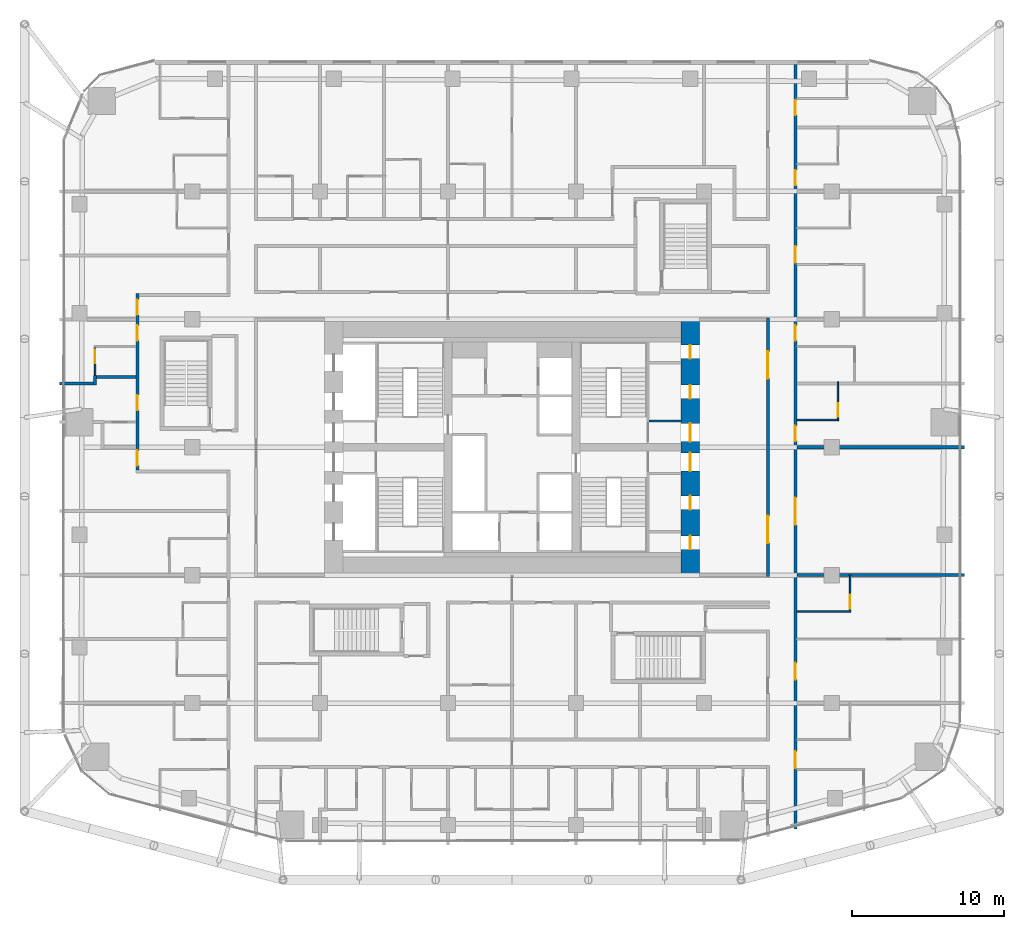
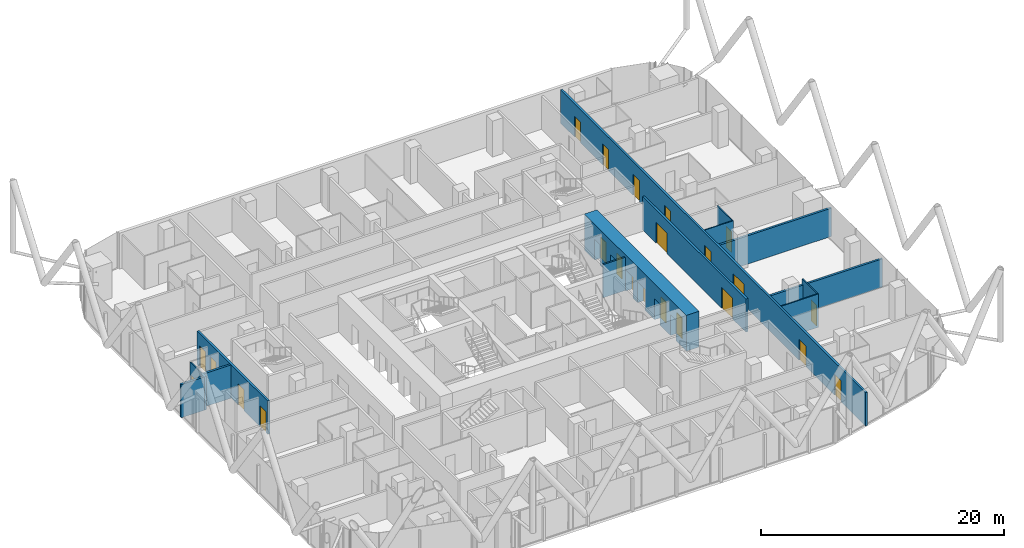
# One storey, part 32 of 38: 23 doors, 15 walls, 23 openings.
"""IFC4 building model written with IfcOpenShell, lengths in metres."""

from ifc_helpers import new_model, si_unit, direction, frame, frame_2d, origin, place, context, subcontext, project, spatial, rectangle, extrude, material, layer, layer_set, type_object, element, fill, save


model = new_model("IFC4")

# Units and contexts
model_context = context("Model", 3, precision=1e-05, world=origin(), true_north=direction((0.0, 1.0)))
body_context = subcontext(model_context, "Body", "Model", "MODEL_VIEW")
ifc_project = project(units=[si_unit("LENGTHUNIT", "METRE"), si_unit("AREAUNIT", "SQUARE_METRE"), si_unit("VOLUMEUNIT", "CUBIC_METRE"), si_unit("PLANEANGLEUNIT", "RADIAN"), si_unit("MASSUNIT", "GRAM", prefix="KILO")], contexts=[model_context])

# Site, building, storey
site_placement = place(None, origin())
site = spatial("IfcSite", under=ifc_project, at=site_placement, CompositionType="ELEMENT")
building_placement = place(site_placement, origin())
building = spatial("IfcBuilding", under=site, at=building_placement, Name="Marenta Gate Hotel Tower", CompositionType="ELEMENT")
storey_placement = place(building_placement, frame((0.0, 0.0, 40.10009765625)))
storey = spatial("IfcBuildingStorey", under=building, at=storey_placement, Name="L07", CompositionType="ELEMENT", Elevation=40.10009765625)

# Wall, openings, doors
ifc_material_1 = material(Name="Concrete blockwork", Category="masonry")
ifc_layer_1 = layer(ifc_material_1, 0.199951171875)
ifc_layer_set_1 = layer_set([ifc_layer_1], Name="Concrete blockwork")
wall_type_1 = type_object("IfcWallType", Name="Core boundary wall 200 REI 180", PredefinedType="PARTITIONING", material=ifc_layer_set_1)
wall_1_placement = place(storey_placement, frame((16.800048828125, -0.10009765625, 0.0), z_axis=(0.0, 0.0, 1.0), x_axis=(0.0, 1.0, 0.0)))
wall_1 = element("IfcWall", 1, at=wall_1_placement, inside=storey, type_object=wall_type_1, Name="L07-CP-BW-E", PredefinedType="PARTITIONING", context=body_context, shape_type="SweptSolid", body=[
    extrude(rectangle(XDim=17.0, YDim=0.199951171875, at=frame_2d((8.5, 0.0))), origin(), (0.0, 0.0, 1.0), 3.33984375),
])
opening_1_placement = place(wall_1_placement, frame((2.199951171875, 0.0, 0.0)))
opening_1 = element("IfcOpeningElement", 2, at=opening_1_placement, cuts=wall_1, Name="Opening ED-Ea-B", PredefinedType="OPENING", context=body_context, shape_type="SweptSolid", body=[
    extrude(rectangle(XDim=1.800048828125, YDim=2.10009765625, at=frame_2d((0.89990234375, 1.050048828125))), frame((0.0, 0.10009765625, 0.0), z_axis=(0.0, -1.0, 0.0), x_axis=(1.0, 0.0, 0.0)), (0.0, 0.0, 1.0), 0.199951171875),
])
opening_2_placement = place(wall_1_placement, frame((13.0, 0.0, 0.0)))
opening_2 = element("IfcOpeningElement", 3, at=opening_2_placement, cuts=wall_1, Name="Opening ED-Eb-B", PredefinedType="OPENING", context=body_context, shape_type="SweptSolid", body=[
    extrude(rectangle(XDim=1.800048828125, YDim=2.10009765625, at=frame_2d((0.89990234375, 1.050048828125))), frame((0.0, 0.10009765625, 0.0), z_axis=(0.0, -1.0, 0.0), x_axis=(1.0, 0.0, 0.0)), (0.0, 0.0, 1.0), 0.199951171875),
])
ifc_material_2 = material(Name="Steel", Category="steel")
door_type_1 = type_object("IfcDoorType", Name="Core lobby entrance door 1800x2100 EI 60", OperationType="DOUBLE_DOOR_SINGLE_SWING", PredefinedType="DOOR", material=ifc_material_2)
door_1_placement = place(opening_1_placement, origin())
door_1 = element("IfcDoor", 4, at=door_1_placement, inside=storey, type_object=door_type_1, Name="ED-Ea-B", OperationType="DOUBLE_DOOR_SINGLE_SWING", OverallHeight=2.10009765625, OverallWidth=1.800048828125, PredefinedType="DOOR", context=body_context, shape_type="SweptSolid", body=[
    extrude(rectangle(XDim=1.800048828125, YDim=2.10009765625, at=frame_2d((0.89990234375, 1.050048828125))), frame((0.0, 0.02490234375, 0.0), z_axis=(0.0, -1.0, 0.0), x_axis=(1.0, 0.0, 0.0)), (0.0, 0.0, 1.0), 0.050048828125),
])
fill(opening_1, door_1)
door_2_placement = place(opening_2_placement, origin())
door_2 = element("IfcDoor", 5, at=door_2_placement, inside=storey, type_object=door_type_1, Name="ED-Eb-B", OperationType="DOUBLE_DOOR_SINGLE_SWING", OverallHeight=2.10009765625, OverallWidth=1.800048828125, PredefinedType="DOOR", context=body_context, shape_type="SweptSolid", body=[
    extrude(rectangle(XDim=1.800048828125, YDim=2.10009765625, at=frame_2d((0.89990234375, 1.050048828125))), frame((0.0, 0.02490234375, 0.0), z_axis=(0.0, -1.0, 0.0), x_axis=(1.0, 0.0, 0.0)), (0.0, 0.0, 1.0), 0.050048828125),
])
fill(opening_2, door_2)

# Wall
ifc_material_3 = material(Name="Concrete blockwork", Category="masonry")
ifc_layer_2 = layer(ifc_material_3, 0.14990234375)
ifc_layer_set_2 = layer_set([ifc_layer_2], Name="Concrete blockwork")
wall_type_2 = type_object("IfcWallType", Name="Core room partition 150 REI 180", PredefinedType="PARTITIONING", material=ifc_layer_set_2)
wall_2_placement = place(storey_placement, frame((9.0, 10.125, 0.0), z_axis=(0.0, 0.0, 1.0), x_axis=(1.0, 0.0, 0.0)))
element("IfcWall", 6, at=wall_2_placement, inside=storey, type_object=wall_type_2, Name="L07-CP-SW-EN-2", PredefinedType="PARTITIONING", context=body_context, shape_type="SweptSolid", body=[
    extrude(rectangle(XDim=2.10009765625, YDim=0.14990234375, at=frame_2d((1.050048828125, 0.0))), origin(), (0.0, 0.0, 1.0), 3.33984375),
])

# Wall, openings, doors
ifc_material_4 = material(Name="Concrete C80", Category="concrete")
ifc_layer_3 = layer(ifc_material_4, 1.199951171875)
ifc_layer_set_3 = layer_set([ifc_layer_3], Name="Concrete C80")
wall_type_3 = type_object("IfcWallType", Name="Core wall 1200 C80", PredefinedType="SHEAR", material=ifc_layer_set_3)
wall_3_placement = place(storey_placement, frame((11.699951171875, 0.0, 0.0), z_axis=(0.0, 0.0, 1.0), x_axis=(0.0, 1.0, 0.0)))
wall_3 = element("IfcWall", 7, at=wall_3_placement, inside=storey, type_object=wall_type_3, Name="L07-CORE-E", PredefinedType="SHEAR", context=body_context, shape_type="SweptSolid", body=[
    extrude(rectangle(XDim=16.800048828125, YDim=1.199951171875, at=frame_2d((8.39990234375, 0.0))), origin(), (0.0, 0.0, 1.0), 3.599853515625),
])
opening_3_placement = place(wall_3_placement, frame((1.6875, 0.0, 0.0)))
opening_3 = element("IfcOpeningElement", 8, at=opening_3_placement, cuts=wall_3, Name="Opening RD-ES-1", PredefinedType="OPENING", context=body_context, shape_type="SweptSolid", body=[
    extrude(rectangle(XDim=0.89990234375, YDim=2.10009765625, at=frame_2d((0.449951171875, 1.050048828125))), frame((0.0, 0.60009765625, 0.0), z_axis=(0.0, -1.0, 0.0), x_axis=(1.0, 0.0, 0.0)), (0.0, 0.0, 1.0), 1.199951171875),
])
opening_4_placement = place(wall_3_placement, frame((4.3125, 0.0, 0.0)))
opening_4 = element("IfcOpeningElement", 9, at=opening_4_placement, cuts=wall_3, Name="Opening RD-ES-2", PredefinedType="OPENING", context=body_context, shape_type="SweptSolid", body=[
    extrude(rectangle(XDim=0.89990234375, YDim=2.10009765625, at=frame_2d((0.449951171875, 1.050048828125))), frame((0.0, 0.60009765625, 0.0), z_axis=(0.0, -1.0, 0.0), x_axis=(1.0, 0.0, 0.0)), (0.0, 0.0, 1.0), 1.199951171875),
])
opening_5_placement = place(wall_3_placement, frame((6.824951171875, 0.0, 0.0)))
opening_5 = element("IfcOpeningElement", 10, at=opening_5_placement, cuts=wall_3, Name="Opening PD-ES", PredefinedType="OPENING", context=body_context, shape_type="SweptSolid", body=[
    extrude(rectangle(XDim=1.199951171875, YDim=2.10009765625, at=frame_2d((0.60009765625, 1.050048828125))), frame((0.0, 0.60009765625, 0.0), z_axis=(0.0, -1.0, 0.0), x_axis=(1.0, 0.0, 0.0)), (0.0, 0.0, 1.0), 1.199951171875),
])
opening_6_placement = place(wall_3_placement, frame((14.21240234375, 0.0, 0.0)))
opening_6 = element("IfcOpeningElement", 11, at=opening_6_placement, cuts=wall_3, Name="Opening RD-EN-1", PredefinedType="OPENING", context=body_context, shape_type="SweptSolid", body=[
    extrude(rectangle(XDim=0.89990234375, YDim=2.10009765625, at=frame_2d((0.449951171875, 1.050048828125))), frame((0.0, 0.60009765625, 0.0), z_axis=(0.0, -1.0, 0.0), x_axis=(1.0, 0.0, 0.0)), (0.0, 0.0, 1.0), 1.199951171875),
])
opening_7_placement = place(wall_3_placement, frame((11.58740234375, 0.0, 0.0)))
opening_7 = element("IfcOpeningElement", 12, at=opening_7_placement, cuts=wall_3, Name="Opening RD-EN-2", PredefinedType="OPENING", context=body_context, shape_type="SweptSolid", body=[
    extrude(rectangle(XDim=0.89990234375, YDim=2.10009765625, at=frame_2d((0.449951171875, 1.050048828125))), frame((0.0, 0.60009765625, 0.0), z_axis=(0.0, -1.0, 0.0), x_axis=(1.0, 0.0, 0.0)), (0.0, 0.0, 1.0), 1.199951171875),
])
opening_8_placement = place(wall_3_placement, frame((8.77490234375, 0.0, 0.0)))
opening_8 = element("IfcOpeningElement", 13, at=opening_8_placement, cuts=wall_3, Name="Opening PD-EN", PredefinedType="OPENING", context=body_context, shape_type="SweptSolid", body=[
    extrude(rectangle(XDim=1.199951171875, YDim=2.10009765625, at=frame_2d((0.60009765625, 1.050048828125))), frame((0.0, 0.60009765625, 0.0), z_axis=(0.0, -1.0, 0.0), x_axis=(1.0, 0.0, 0.0)), (0.0, 0.0, 1.0), 1.199951171875),
])
ifc_material_5 = material(Name="Steel", Category="steel")
door_type_2 = type_object("IfcDoorType", Name="Core lobby door 1200x2100 FD60", OperationType="SINGLE_SWING_LEFT", PredefinedType="DOOR", material=ifc_material_5)
door_3_placement = place(opening_5_placement, origin())
door_3 = element("IfcDoor", 14, at=door_3_placement, inside=storey, type_object=door_type_2, Name="PD-ES", OperationType="SINGLE_SWING_LEFT", OverallHeight=2.10009765625, OverallWidth=1.199951171875, PredefinedType="DOOR", context=body_context, shape_type="SweptSolid", body=[
    extrude(rectangle(XDim=1.199951171875, YDim=2.10009765625, at=frame_2d((0.60009765625, 1.050048828125))), frame((0.0, 0.02490234375, 0.0), z_axis=(0.0, -1.0, 0.0), x_axis=(1.0, 0.0, 0.0)), (0.0, 0.0, 1.0), 0.050048828125),
])
fill(opening_5, door_3)
door_4_placement = place(opening_8_placement, origin())
door_4 = element("IfcDoor", 15, at=door_4_placement, inside=storey, type_object=door_type_2, Name="PD-EN", OperationType="SINGLE_SWING_LEFT", OverallHeight=2.10009765625, OverallWidth=1.199951171875, PredefinedType="DOOR", context=body_context, shape_type="SweptSolid", body=[
    extrude(rectangle(XDim=1.199951171875, YDim=2.10009765625, at=frame_2d((0.60009765625, 1.050048828125))), frame((0.0, 0.02490234375, 0.0), z_axis=(0.0, -1.0, 0.0), x_axis=(1.0, 0.0, 0.0)), (0.0, 0.0, 1.0), 0.050048828125),
])
fill(opening_8, door_4)
ifc_material_6 = material(Name="Steel", Category="steel")
door_type_3 = type_object("IfcDoorType", Name="Core service room door 900x2100 FD30S", OperationType="SINGLE_SWING_LEFT", PredefinedType="DOOR", material=ifc_material_6)
door_5_placement = place(opening_3_placement, origin())
door_5 = element("IfcDoor", 16, at=door_5_placement, inside=storey, type_object=door_type_3, Name="RD-ES-1", OperationType="SINGLE_SWING_LEFT", OverallHeight=2.10009765625, OverallWidth=0.89990234375, PredefinedType="DOOR", context=body_context, shape_type="SweptSolid", body=[
    extrude(rectangle(XDim=0.89990234375, YDim=2.10009765625, at=frame_2d((0.449951171875, 1.050048828125))), frame((0.0, 0.02490234375, 0.0), z_axis=(0.0, -1.0, 0.0), x_axis=(1.0, 0.0, 0.0)), (0.0, 0.0, 1.0), 0.050048828125),
])
fill(opening_3, door_5)
door_6_placement = place(opening_4_placement, origin())
door_6 = element("IfcDoor", 17, at=door_6_placement, inside=storey, type_object=door_type_3, Name="RD-ES-2", OperationType="SINGLE_SWING_LEFT", OverallHeight=2.10009765625, OverallWidth=0.89990234375, PredefinedType="DOOR", context=body_context, shape_type="SweptSolid", body=[
    extrude(rectangle(XDim=0.89990234375, YDim=2.10009765625, at=frame_2d((0.449951171875, 1.050048828125))), frame((0.0, 0.02490234375, 0.0), z_axis=(0.0, -1.0, 0.0), x_axis=(1.0, 0.0, 0.0)), (0.0, 0.0, 1.0), 0.050048828125),
])
fill(opening_4, door_6)
door_7_placement = place(opening_6_placement, origin())
door_7 = element("IfcDoor", 18, at=door_7_placement, inside=storey, type_object=door_type_3, Name="RD-EN-1", OperationType="SINGLE_SWING_LEFT", OverallHeight=2.10009765625, OverallWidth=0.89990234375, PredefinedType="DOOR", context=body_context, shape_type="SweptSolid", body=[
    extrude(rectangle(XDim=0.89990234375, YDim=2.10009765625, at=frame_2d((0.449951171875, 1.050048828125))), frame((0.0, 0.02490234375, 0.0), z_axis=(0.0, -1.0, 0.0), x_axis=(1.0, 0.0, 0.0)), (0.0, 0.0, 1.0), 0.050048828125),
])
fill(opening_6, door_7)
door_8_placement = place(opening_7_placement, origin())
door_8 = element("IfcDoor", 19, at=door_8_placement, inside=storey, type_object=door_type_3, Name="RD-EN-2", OperationType="SINGLE_SWING_LEFT", OverallHeight=2.10009765625, OverallWidth=0.89990234375, PredefinedType="DOOR", context=body_context, shape_type="SweptSolid", body=[
    extrude(rectangle(XDim=0.89990234375, YDim=2.10009765625, at=frame_2d((0.449951171875, 1.050048828125))), frame((0.0, 0.02490234375, 0.0), z_axis=(0.0, -1.0, 0.0), x_axis=(1.0, 0.0, 0.0)), (0.0, 0.0, 1.0), 0.050048828125),
])
fill(opening_7, door_8)

ifc_material_7 = material(Name="Gypsum board on steel stud", Category="steel")
ifc_layer_4 = layer(ifc_material_7, 0.199951171875)
ifc_layer_set_4 = layer_set([ifc_layer_4], Name="Gypsum board on steel stud")
wall_type_4 = type_object("IfcWallType", Name="Room corridor wall 200 EI 60", PredefinedType="PARTITIONING", material=ifc_layer_set_4)
wall_4_placement = place(storey_placement, frame((18.60009765625, -16.6650390625, 0.0), z_axis=(0.0, 0.0, 1.0), x_axis=(0.0, 1.0, 0.0)))
wall_4 = element("IfcWall", 20, at=wall_4_placement, inside=storey, type_object=wall_type_4, Name="L07-PTN-W012", PredefinedType="PARTITIONING", context=body_context, shape_type="SweptSolid", body=[
    extrude(rectangle(XDim=50.205078125, YDim=0.199951171875, at=frame_2d((25.1025390625, 0.0))), origin(), (0.0, 0.0, 1.0), 3.33984375),
])
opening_9_placement = place(wall_4_placement, frame((4.0, 0.0, 0.0)))
opening_9 = element("IfcOpeningElement", 21, at=opening_9_placement, cuts=wall_4, Name="Opening G02-12", PredefinedType="OPENING", context=body_context, shape_type="SweptSolid", body=[
    extrude(rectangle(XDim=1.10009765625, YDim=2.10009765625, at=frame_2d((0.550048828125, 1.050048828125))), frame((0.0, 0.10009765625, 0.0), z_axis=(0.0, -1.0, 0.0), x_axis=(1.0, 0.0, 0.0)), (0.0, 0.0, 1.0), 0.199951171875),
])
opening_10_placement = place(wall_4_placement, frame((9.81494140625, 0.0, 0.0)))
opening_10 = element("IfcOpeningElement", 22, at=opening_10_placement, cuts=wall_4, Name="Opening G02-15", PredefinedType="OPENING", context=body_context, shape_type="SweptSolid", body=[
    extrude(rectangle(XDim=1.10009765625, YDim=2.10009765625, at=frame_2d((0.550048828125, 1.050048828125))), frame((0.0, 0.10009765625, 0.0), z_axis=(0.0, -1.0, 0.0), x_axis=(1.0, 0.0, 0.0)), (0.0, 0.0, 1.0), 0.199951171875),
])
opening_11_placement = place(wall_4_placement, frame((19.965087890625, 0.0, 0.0)))
opening_11 = element("IfcOpeningElement", 23, at=opening_11_placement, cuts=wall_4, Name="Opening G02-18", PredefinedType="OPENING", context=body_context, shape_type="SweptSolid", body=[
    extrude(rectangle(XDim=1.800048828125, YDim=2.10009765625, at=frame_2d((0.89990234375, 1.050048828125))), frame((0.0, 0.10009765625, 0.0), z_axis=(0.0, -1.0, 0.0), x_axis=(1.0, 0.0, 0.0)), (0.0, 0.0, 1.0), 0.199951171875),
])
opening_12_placement = place(wall_4_placement, frame((25.465087890625, 0.0, 0.0)))
opening_12 = element("IfcOpeningElement", 24, at=opening_12_placement, cuts=wall_4, Name="Opening G02-19", PredefinedType="OPENING", context=body_context, shape_type="SweptSolid", body=[
    extrude(rectangle(XDim=1.0, YDim=2.10009765625, at=frame_2d((0.5, 1.050048828125))), frame((0.0, 0.10009765625, 0.0), z_axis=(0.0, -1.0, 0.0), x_axis=(1.0, 0.0, 0.0)), (0.0, 0.0, 1.0), 0.199951171875),
])
opening_13_placement = place(wall_4_placement, frame((32.06494140625, 0.0, 0.0)))
opening_13 = element("IfcOpeningElement", 25, at=opening_13_placement, cuts=wall_4, Name="Opening G02-21", PredefinedType="OPENING", context=body_context, shape_type="SweptSolid", body=[
    extrude(rectangle(XDim=1.0, YDim=2.10009765625, at=frame_2d((0.5, 1.050048828125))), frame((0.0, 0.10009765625, 0.0), z_axis=(0.0, -1.0, 0.0), x_axis=(1.0, 0.0, 0.0)), (0.0, 0.0, 1.0), 0.199951171875),
])
opening_14_placement = place(wall_4_placement, frame((37.1650390625, 0.0, 0.0)))
opening_14 = element("IfcOpeningElement", 26, at=opening_14_placement, cuts=wall_4, Name="Opening G02-23", PredefinedType="OPENING", context=body_context, shape_type="SweptSolid", body=[
    extrude(rectangle(XDim=1.10009765625, YDim=2.10009765625, at=frame_2d((0.550048828125, 1.050048828125))), frame((0.0, 0.10009765625, 0.0), z_axis=(0.0, -1.0, 0.0), x_axis=(1.0, 0.0, 0.0)), (0.0, 0.0, 1.0), 0.199951171875),
])
opening_15_placement = place(wall_4_placement, frame((42.264892578125, 0.0, 0.0)))
opening_15 = element("IfcOpeningElement", 27, at=opening_15_placement, cuts=wall_4, Name="Opening G02-26", PredefinedType="OPENING", context=body_context, shape_type="SweptSolid", body=[
    extrude(rectangle(XDim=1.0, YDim=2.10009765625, at=frame_2d((0.5, 1.050048828125))), frame((0.0, 0.10009765625, 0.0), z_axis=(0.0, -1.0, 0.0), x_axis=(1.0, 0.0, 0.0)), (0.0, 0.0, 1.0), 0.199951171875),
])
opening_16_placement = place(wall_4_placement, frame((46.864990234375, 0.0, 0.0)))
opening_16 = element("IfcOpeningElement", 28, at=opening_16_placement, cuts=wall_4, Name="Opening G02-28", PredefinedType="OPENING", context=body_context, shape_type="SweptSolid", body=[
    extrude(rectangle(XDim=1.0, YDim=2.10009765625, at=frame_2d((0.5, 1.050048828125))), frame((0.0, 0.10009765625, 0.0), z_axis=(0.0, -1.0, 0.0), x_axis=(1.0, 0.0, 0.0)), (0.0, 0.0, 1.0), 0.199951171875),
])
ifc_material_8 = material(Name="Timber door leaf", Category="wood")
door_type_4 = type_object("IfcDoorType", Name="Guest room door 1000x2100 EI 30", OperationType="NOTDEFINED", PredefinedType="DOOR", material=ifc_material_8)
door_9_placement = place(opening_12_placement, origin())
door_9 = element("IfcDoor", 29, at=door_9_placement, inside=storey, type_object=door_type_4, Name="L07-PD-D019", OperationType="SINGLE_SWING_LEFT", OverallHeight=2.10009765625, OverallWidth=1.0, PredefinedType="DOOR", context=body_context, shape_type="SweptSolid", body=[
    extrude(rectangle(XDim=1.0, YDim=2.10009765625, at=frame_2d((0.5, 1.050048828125))), frame((0.0, 0.02490234375, 0.0), z_axis=(0.0, -1.0, 0.0), x_axis=(1.0, 0.0, 0.0)), (0.0, 0.0, 1.0), 0.050048828125),
])
fill(opening_12, door_9)
door_10_placement = place(opening_13_placement, origin())
door_10 = element("IfcDoor", 30, at=door_10_placement, inside=storey, type_object=door_type_4, Name="L07-PD-D021", OperationType="SINGLE_SWING_LEFT", OverallHeight=2.10009765625, OverallWidth=1.0, PredefinedType="DOOR", context=body_context, shape_type="SweptSolid", body=[
    extrude(rectangle(XDim=1.0, YDim=2.10009765625, at=frame_2d((0.5, 1.050048828125))), frame((0.0, 0.02490234375, 0.0), z_axis=(0.0, -1.0, 0.0), x_axis=(1.0, 0.0, 0.0)), (0.0, 0.0, 1.0), 0.050048828125),
])
fill(opening_13, door_10)
door_11_placement = place(opening_15_placement, origin())
door_11 = element("IfcDoor", 31, at=door_11_placement, inside=storey, type_object=door_type_4, Name="L07-PD-D026", OperationType="SINGLE_SWING_RIGHT", OverallHeight=2.10009765625, OverallWidth=1.0, PredefinedType="DOOR", context=body_context, shape_type="SweptSolid", body=[
    extrude(rectangle(XDim=1.0, YDim=2.10009765625, at=frame_2d((0.5, 1.050048828125))), frame((0.0, 0.02490234375, 0.0), z_axis=(0.0, -1.0, 0.0), x_axis=(1.0, 0.0, 0.0)), (0.0, 0.0, 1.0), 0.050048828125),
])
fill(opening_15, door_11)
door_12_placement = place(opening_16_placement, origin())
door_12 = element("IfcDoor", 32, at=door_12_placement, inside=storey, type_object=door_type_4, Name="L07-PD-D028", OperationType="SINGLE_SWING_LEFT", OverallHeight=2.10009765625, OverallWidth=1.0, PredefinedType="DOOR", context=body_context, shape_type="SweptSolid", body=[
    extrude(rectangle(XDim=1.0, YDim=2.10009765625, at=frame_2d((0.5, 1.050048828125))), frame((0.0, 0.02490234375, 0.0), z_axis=(0.0, -1.0, 0.0), x_axis=(1.0, 0.0, 0.0)), (0.0, 0.0, 1.0), 0.050048828125),
])
fill(opening_16, door_12)
ifc_material_9 = material(Name="Timber door leaf", Category="wood")
door_type_5 = type_object("IfcDoorType", Name="Guest room door 1100x2100 EI 30", OperationType="NOTDEFINED", PredefinedType="DOOR", material=ifc_material_9)
door_13_placement = place(opening_9_placement, origin())
door_13 = element("IfcDoor", 33, at=door_13_placement, inside=storey, type_object=door_type_5, Name="L07-PD-D012", OperationType="SINGLE_SWING_RIGHT", OverallHeight=2.10009765625, OverallWidth=1.10009765625, PredefinedType="DOOR", context=body_context, shape_type="SweptSolid", body=[
    extrude(rectangle(XDim=1.10009765625, YDim=2.10009765625, at=frame_2d((0.550048828125, 1.050048828125))), frame((0.0, 0.02490234375, 0.0), z_axis=(0.0, -1.0, 0.0), x_axis=(1.0, 0.0, 0.0)), (0.0, 0.0, 1.0), 0.050048828125),
])
fill(opening_9, door_13)
door_14_placement = place(opening_10_placement, origin())
door_14 = element("IfcDoor", 34, at=door_14_placement, inside=storey, type_object=door_type_5, Name="L07-PD-D015", OperationType="SINGLE_SWING_LEFT", OverallHeight=2.10009765625, OverallWidth=1.10009765625, PredefinedType="DOOR", context=body_context, shape_type="SweptSolid", body=[
    extrude(rectangle(XDim=1.10009765625, YDim=2.10009765625, at=frame_2d((0.550048828125, 1.050048828125))), frame((0.0, 0.02490234375, 0.0), z_axis=(0.0, -1.0, 0.0), x_axis=(1.0, 0.0, 0.0)), (0.0, 0.0, 1.0), 0.050048828125),
])
fill(opening_10, door_14)
door_15_placement = place(opening_14_placement, origin())
door_15 = element("IfcDoor", 35, at=door_15_placement, inside=storey, type_object=door_type_5, Name="L07-PD-D023", OperationType="SINGLE_SWING_RIGHT", OverallHeight=2.10009765625, OverallWidth=1.10009765625, PredefinedType="DOOR", context=body_context, shape_type="SweptSolid", body=[
    extrude(rectangle(XDim=1.10009765625, YDim=2.10009765625, at=frame_2d((0.550048828125, 1.050048828125))), frame((0.0, 0.02490234375, 0.0), z_axis=(0.0, -1.0, 0.0), x_axis=(1.0, 0.0, 0.0)), (0.0, 0.0, 1.0), 0.050048828125),
])
fill(opening_14, door_15)
ifc_material_10 = material(Name="Timber door leaf", Category="wood")
door_type_6 = type_object("IfcDoorType", Name="Room amenity door 1800x2100 EI 30", OperationType="DOUBLE_DOOR_SINGLE_SWING", PredefinedType="DOOR", material=ifc_material_10)
door_16_placement = place(opening_11_placement, origin())
door_16 = element("IfcDoor", 36, at=door_16_placement, inside=storey, type_object=door_type_6, Name="L07-PD-D018", OperationType="DOUBLE_DOOR_SINGLE_SWING", OverallHeight=2.10009765625, OverallWidth=1.800048828125, PredefinedType="DOOR", context=body_context, shape_type="SweptSolid", body=[
    extrude(rectangle(XDim=1.800048828125, YDim=2.10009765625, at=frame_2d((0.89990234375, 1.050048828125))), frame((0.0, 0.02490234375, 0.0), z_axis=(0.0, -1.0, 0.0), x_axis=(1.0, 0.0, 0.0)), (0.0, 0.0, 1.0), 0.050048828125),
])
fill(opening_11, door_16)

wall_5_placement = place(storey_placement, frame((-24.60009765625, 6.89990234375, 0.0), z_axis=(0.0, 0.0, 1.0), x_axis=(0.0, 1.0, 0.0)))
wall_5 = element("IfcWall", 37, at=wall_5_placement, inside=storey, type_object=wall_type_4, Name="L07-PTN-W139", PredefinedType="PARTITIONING", context=body_context, shape_type="SweptSolid", body=[
    extrude(rectangle(XDim=11.60009765625, YDim=0.199951171875, at=frame_2d((5.800048828125, 0.0))), origin(), (0.0, 0.0, 1.0), 3.33984375),
])
opening_17_placement = place(wall_5_placement, frame((8.5, 0.0, 0.0)))
opening_17 = element("IfcOpeningElement", 38, at=opening_17_placement, cuts=wall_5, Name="Opening G02-61", PredefinedType="OPENING", context=body_context, shape_type="SweptSolid", body=[
    extrude(rectangle(XDim=1.0, YDim=2.10009765625, at=frame_2d((0.5, 1.050048828125))), frame((0.0, 0.10009765625, 0.0), z_axis=(0.0, -1.0, 0.0), x_axis=(1.0, 0.0, 0.0)), (0.0, 0.0, 1.0), 0.199951171875),
])
opening_18_placement = place(wall_5_placement, frame((10.199951171875, 0.0, 0.0)))
opening_18 = element("IfcOpeningElement", 39, at=opening_18_placement, cuts=wall_5, Name="Opening G02-74", PredefinedType="OPENING", context=body_context, shape_type="SweptSolid", body=[
    extrude(rectangle(XDim=1.0, YDim=2.10009765625, at=frame_2d((0.5, 1.050048828125))), frame((0.0, 0.10009765625, 0.0), z_axis=(0.0, -1.0, 0.0), x_axis=(1.0, 0.0, 0.0)), (0.0, 0.0, 1.0), 0.199951171875),
])
opening_19_placement = place(wall_5_placement, frame((0.300048828125, 0.0, 0.0)))
opening_19 = element("IfcOpeningElement", 40, at=opening_19_placement, cuts=wall_5, Name="Opening G02-75", PredefinedType="OPENING", context=body_context, shape_type="SweptSolid", body=[
    extrude(rectangle(XDim=1.0, YDim=2.10009765625, at=frame_2d((0.5, 1.050048828125))), frame((0.0, 0.10009765625, 0.0), z_axis=(0.0, -1.0, 0.0), x_axis=(1.0, 0.0, 0.0)), (0.0, 0.0, 1.0), 0.199951171875),
])
opening_20_placement = place(wall_5_placement, frame((3.925048828125, 0.0, 0.0)))
opening_20 = element("IfcOpeningElement", 41, at=opening_20_placement, cuts=wall_5, Name="Opening G02-82", PredefinedType="OPENING", context=body_context, shape_type="SweptSolid", body=[
    extrude(rectangle(XDim=1.0, YDim=2.10009765625, at=frame_2d((0.5, 1.050048828125))), frame((0.0, 0.10009765625, 0.0), z_axis=(0.0, -1.0, 0.0), x_axis=(1.0, 0.0, 0.0)), (0.0, 0.0, 1.0), 0.199951171875),
])
door_17_placement = place(opening_17_placement, origin())
door_17 = element("IfcDoor", 42, at=door_17_placement, inside=storey, type_object=door_type_4, Name="L07-PD-D061", OperationType="SINGLE_SWING_RIGHT", OverallHeight=2.10009765625, OverallWidth=1.0, PredefinedType="DOOR", context=body_context, shape_type="SweptSolid", body=[
    extrude(rectangle(XDim=1.0, YDim=2.10009765625, at=frame_2d((0.5, 1.050048828125))), frame((0.0, 0.02490234375, 0.0), z_axis=(0.0, -1.0, 0.0), x_axis=(1.0, 0.0, 0.0)), (0.0, 0.0, 1.0), 0.050048828125),
])
fill(opening_17, door_17)
door_18_placement = place(opening_20_placement, origin())
door_18 = element("IfcDoor", 43, at=door_18_placement, inside=storey, type_object=door_type_4, Name="L07-PD-D082", OperationType="SINGLE_SWING_LEFT", OverallHeight=2.10009765625, OverallWidth=1.0, PredefinedType="DOOR", context=body_context, shape_type="SweptSolid", body=[
    extrude(rectangle(XDim=1.0, YDim=2.10009765625, at=frame_2d((0.5, 1.050048828125))), frame((0.0, 0.02490234375, 0.0), z_axis=(0.0, -1.0, 0.0), x_axis=(1.0, 0.0, 0.0)), (0.0, 0.0, 1.0), 0.050048828125),
])
fill(opening_20, door_18)
ifc_material_11 = material(Name="Timber door leaf", Category="wood")
door_type_7 = type_object("IfcDoorType", Name="Room amenity door 1000x2100 EI 30", OperationType="NOTDEFINED", PredefinedType="DOOR", material=ifc_material_11)
door_19_placement = place(opening_18_placement, origin())
door_19 = element("IfcDoor", 44, at=door_19_placement, inside=storey, type_object=door_type_7, Name="L07-PD-D074", OperationType="SINGLE_SWING_RIGHT", OverallHeight=2.10009765625, OverallWidth=1.0, PredefinedType="DOOR", context=body_context, shape_type="SweptSolid", body=[
    extrude(rectangle(XDim=1.0, YDim=2.10009765625, at=frame_2d((0.5, 1.050048828125))), frame((0.0, 0.02490234375, 0.0), z_axis=(0.0, -1.0, 0.0), x_axis=(1.0, 0.0, 0.0)), (0.0, 0.0, 1.0), 0.050048828125),
])
fill(opening_18, door_19)
door_20_placement = place(opening_19_placement, origin())
door_20 = element("IfcDoor", 45, at=door_20_placement, inside=storey, type_object=door_type_7, Name="L07-PD-D075", OperationType="SINGLE_SWING_LEFT", OverallHeight=2.10009765625, OverallWidth=1.0, PredefinedType="DOOR", context=body_context, shape_type="SweptSolid", body=[
    extrude(rectangle(XDim=1.0, YDim=2.10009765625, at=frame_2d((0.5, 1.050048828125))), frame((0.0, 0.02490234375, 0.0), z_axis=(0.0, -1.0, 0.0), x_axis=(1.0, 0.0, 0.0)), (0.0, 0.0, 1.0), 0.050048828125),
])
fill(opening_19, door_20)

# Wall, opening, door
ifc_material_12 = material(Name="Gypsum board on steel stud", Category="steel")
ifc_layer_5 = layer(ifc_material_12, 0.10009765625)
ifc_layer_set_5 = layer_set([ifc_layer_5], Name="Gypsum board on steel stud")
wall_type_5 = type_object("IfcWallType", Name="Room partition 100", PredefinedType="PARTITIONING", material=ifc_layer_set_5)
wall_6_placement = place(storey_placement, frame((22.199951171875, -2.35009765625, 0.0), z_axis=(0.0, 0.0, 1.0), x_axis=(0.0, 1.0, 0.0)))
wall_6 = element("IfcWall", 46, at=wall_6_placement, inside=storey, type_object=wall_type_5, Name="L07-PTN-W005", PredefinedType="PARTITIONING", context=body_context, shape_type="SweptSolid", body=[
    extrude(rectangle(XDim=2.4501953125, YDim=0.10009765625, at=frame_2d((1.22509765625, 0.0))), origin(), (0.0, 0.0, 1.0), 3.33984375),
])
opening_21_placement = place(wall_6_placement, frame((0.14990234375, 0.0, 0.0)))
opening_21 = element("IfcOpeningElement", 47, at=opening_21_placement, cuts=wall_6, Name="Opening G02-17", PredefinedType="OPENING", context=body_context, shape_type="SweptSolid", body=[
    extrude(rectangle(XDim=0.89990234375, YDim=2.10009765625, at=frame_2d((0.449951171875, 1.050048828125))), frame((0.0, 0.050048828125, 0.0), z_axis=(0.0, -1.0, 0.0), x_axis=(1.0, 0.0, 0.0)), (0.0, 0.0, 1.0), 0.10009765625),
])
ifc_material_13 = material(Name="Timber door leaf", Category="wood")
door_type_8 = type_object("IfcDoorType", Name="Guest bathroom door 900x2100", OperationType="NOTDEFINED", PredefinedType="DOOR", material=ifc_material_13)
door_21_placement = place(opening_21_placement, origin())
door_21 = element("IfcDoor", 48, at=door_21_placement, inside=storey, type_object=door_type_8, Name="L07-PD-D017", OperationType="SINGLE_SWING_LEFT", OverallHeight=2.10009765625, OverallWidth=0.89990234375, PredefinedType="DOOR", context=body_context, shape_type="SweptSolid", body=[
    extrude(rectangle(XDim=0.89990234375, YDim=2.10009765625, at=frame_2d((0.449951171875, 1.050048828125))), frame((0.0, 0.02490234375, 0.0), z_axis=(0.0, -1.0, 0.0), x_axis=(1.0, 0.0, 0.0)), (0.0, 0.0, 1.0), 0.050048828125),
])
fill(opening_21, door_21)

wall_7_placement = place(storey_placement, frame((21.39990234375, 10.25, 0.0), z_axis=(0.0, 0.0, 1.0), x_axis=(0.0, 1.0, 0.0)))
wall_7 = element("IfcWall", 49, at=wall_7_placement, inside=storey, type_object=wall_type_5, Name="L07-PTN-W008", PredefinedType="PARTITIONING", context=body_context, shape_type="SweptSolid", body=[
    extrude(rectangle(XDim=2.449951171875, YDim=0.10009765625, at=frame_2d((1.22509765625, 0.0))), origin(), (0.0, 0.0, 1.0), 3.33984375),
])
opening_22_placement = place(wall_7_placement, frame((0.14990234375, 0.0, 0.0)))
opening_22 = element("IfcOpeningElement", 50, at=opening_22_placement, cuts=wall_7, Name="Opening G02-20", PredefinedType="OPENING", context=body_context, shape_type="SweptSolid", body=[
    extrude(rectangle(XDim=0.89990234375, YDim=2.10009765625, at=frame_2d((0.449951171875, 1.050048828125))), frame((0.0, 0.050048828125, 0.0), z_axis=(0.0, -1.0, 0.0), x_axis=(1.0, 0.0, 0.0)), (0.0, 0.0, 1.0), 0.10009765625),
])
door_22_placement = place(opening_22_placement, origin())
door_22 = element("IfcDoor", 51, at=door_22_placement, inside=storey, type_object=door_type_8, Name="L07-PD-D020", OperationType="SINGLE_SWING_LEFT", OverallHeight=2.10009765625, OverallWidth=0.89990234375, PredefinedType="DOOR", context=body_context, shape_type="SweptSolid", body=[
    extrude(rectangle(XDim=0.89990234375, YDim=2.10009765625, at=frame_2d((0.449951171875, 1.050048828125))), frame((0.0, 0.02490234375, 0.0), z_axis=(0.0, -1.0, 0.0), x_axis=(1.0, 0.0, 0.0)), (0.0, 0.0, 1.0), 0.050048828125),
])
fill(opening_22, door_22)

# Walls
wall_8_placement = place(storey_placement, frame((18.699951171875, -2.39990234375, 0.0), z_axis=(0.0, 0.0, 1.0), x_axis=(1.0, 0.0, 0.0)))
element("IfcWall", 52, at=wall_8_placement, inside=storey, type_object=wall_type_5, Name="L07-PTN-W062", PredefinedType="PARTITIONING", context=body_context, shape_type="SweptSolid", body=[
    extrude(rectangle(XDim=3.550048828125, YDim=0.10009765625, at=frame_2d((1.77490234375, 0.0))), origin(), (0.0, 0.0, 1.0), 3.33984375),
])
wall_9_placement = place(storey_placement, frame((18.699951171875, 10.199951171875, 0.0), z_axis=(0.0, 0.0, 1.0), x_axis=(1.0, 0.0, 0.0)))
element("IfcWall", 53, at=wall_9_placement, inside=storey, type_object=wall_type_5, Name="L07-PTN-W094", PredefinedType="PARTITIONING", context=body_context, shape_type="SweptSolid", body=[
    extrude(rectangle(XDim=2.75, YDim=0.10009765625, at=frame_2d((1.375, 0.0))), origin(), (0.0, 0.0, 1.0), 3.33984375),
])

# Wall, opening, door
wall_10_placement = place(storey_placement, frame((-27.375, 13.10009765625, 0.0), z_axis=(0.0, 0.0, 1.0), x_axis=(0.0, 1.0, 0.0)))
wall_10 = element("IfcWall", 54, at=wall_10_placement, inside=storey, type_object=wall_type_5, Name="L07-PTN-W151", PredefinedType="PARTITIONING", context=body_context, shape_type="SweptSolid", body=[
    extrude(rectangle(XDim=1.849853515625, YDim=0.10009765625, at=frame_2d((0.9248046875, 0.0))), origin(), (0.0, 0.0, 1.0), 3.33984375),
])
opening_23_placement = place(wall_10_placement, frame((0.800048828125, 0.0, 0.0)))
opening_23 = element("IfcOpeningElement", 55, at=opening_23_placement, cuts=wall_10, Name="Opening G02-62", PredefinedType="OPENING", context=body_context, shape_type="SweptSolid", body=[
    extrude(rectangle(XDim=0.89990234375, YDim=2.10009765625, at=frame_2d((0.449951171875, 1.050048828125))), frame((0.0, 0.050048828125, 0.0), z_axis=(0.0, -1.0, 0.0), x_axis=(1.0, 0.0, 0.0)), (0.0, 0.0, 1.0), 0.10009765625),
])
door_23_placement = place(opening_23_placement, origin())
door_23 = element("IfcDoor", 56, at=door_23_placement, inside=storey, type_object=door_type_8, Name="L07-PD-D062", OperationType="SINGLE_SWING_LEFT", OverallHeight=2.10009765625, OverallWidth=0.89990234375, PredefinedType="DOOR", context=body_context, shape_type="SweptSolid", body=[
    extrude(rectangle(XDim=0.89990234375, YDim=2.10009765625, at=frame_2d((0.449951171875, 1.050048828125))), frame((0.0, 0.02490234375, 0.0), z_axis=(0.0, -1.0, 0.0), x_axis=(1.0, 0.0, 0.0)), (0.0, 0.0, 1.0), 0.050048828125),
])
fill(opening_23, door_23)

# Walls
ifc_material_14 = material(Name="Gypsum board on steel stud", Category="steel")
ifc_layer_6 = layer(ifc_material_14, 0.199951171875)
ifc_layer_set_6 = layer_set([ifc_layer_6], Name="Gypsum board on steel stud")
wall_type_6 = type_object("IfcWallType", Name="Room party wall 200 EI 60", PredefinedType="PARTITIONING", material=ifc_layer_set_6)
for number, where, z_axis, x_axis, name in (
    (57, (18.699951171875, 0.0, 0.0), (0.0, 0.0, 1.0), (1.0, 0.0, 0.0), "L07-PTN-W073"),
    (58, (18.699951171875, 8.39990234375, 0.0), (0.0, 0.0, 1.0), (1.0, 0.0, 0.0), "L07-PTN-W089"),
):
    element("IfcWall", number, at=place(storey_placement, frame(where, z_axis=z_axis, x_axis=x_axis)), inside=storey, type_object=wall_type_6, Name=name, PredefinedType="PARTITIONING", context=body_context, shape_type="SweptSolid", body=[
        extrude(rectangle(XDim=11.0, YDim=0.199951171875, at=frame_2d((5.5, 0.0))), origin(), (0.0, 0.0, 1.0), 2.83984375),
    ])
wall_11_placement = place(storey_placement, frame((-29.699951171875, 12.60009765625, 0.0), z_axis=(0.0, 0.0, 1.0), x_axis=(1.0, 0.0, 0.0)))
element("IfcWall", 59, at=wall_11_placement, inside=storey, type_object=wall_type_6, Name="L07-PTN-W101", PredefinedType="PARTITIONING", context=body_context, shape_type="SweptSolid", body=[
    extrude(rectangle(XDim=2.224853515625, YDim=0.199951171875, at=frame_2d((1.1123046875, 0.0))), origin(), (0.0, 0.0, 1.0), 3.33984375),
])
wall_12_placement = place(storey_placement, frame((-27.27490234375, 13.0, 0.0), z_axis=(0.0, 0.0, 1.0), x_axis=(1.0, 0.0, 0.0)))
element("IfcWall", 60, at=wall_12_placement, inside=storey, type_object=wall_type_6, Name="L07-PTN-W103", PredefinedType="PARTITIONING", context=body_context, shape_type="SweptSolid", body=[
    extrude(rectangle(XDim=2.574951171875, YDim=0.199951171875, at=frame_2d((1.28759765625, 0.0))), origin(), (0.0, 0.0, 1.0), 3.33984375),
])
wall_13_placement = place(storey_placement, frame((-27.375, 12.5, 0.0), z_axis=(0.0, 0.0, 1.0), x_axis=(0.0, 1.0, 0.0)))
element("IfcWall", 61, at=wall_13_placement, inside=storey, type_object=wall_type_6, Name="L07-PTN-W150", PredefinedType="PARTITIONING", context=body_context, shape_type="SweptSolid", body=[
    extrude(rectangle(XDim=0.60009765625, YDim=0.199951171875, at=frame_2d((0.300048828125, 0.0))), origin(), (0.0, 0.0, 1.0), 3.33984375),
])

save(model, "model.ifc")
